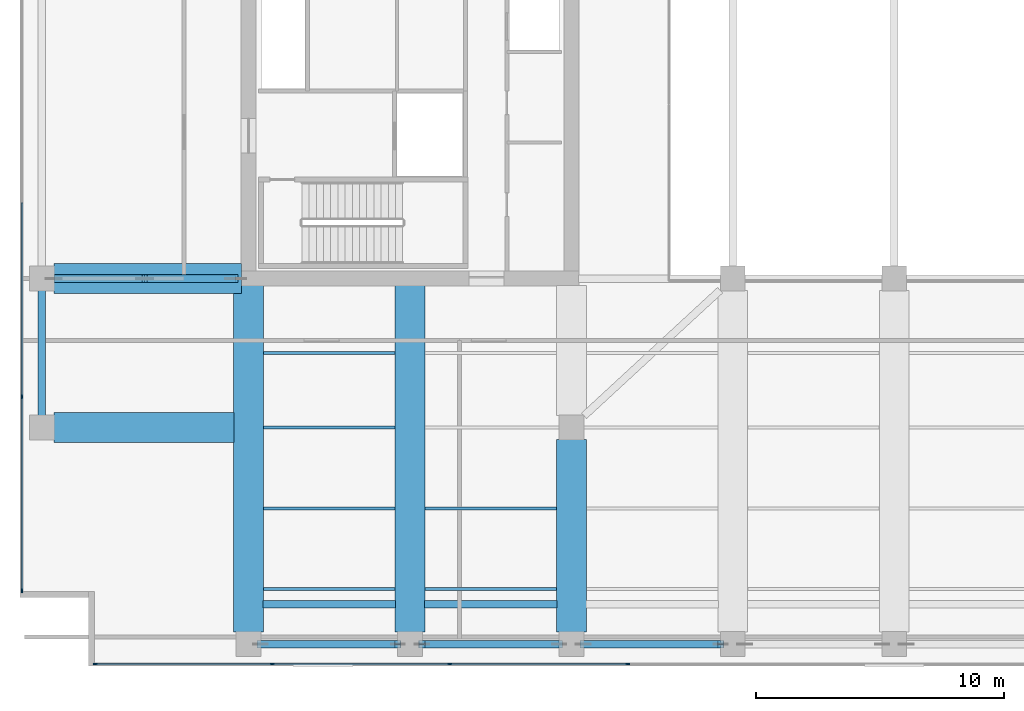
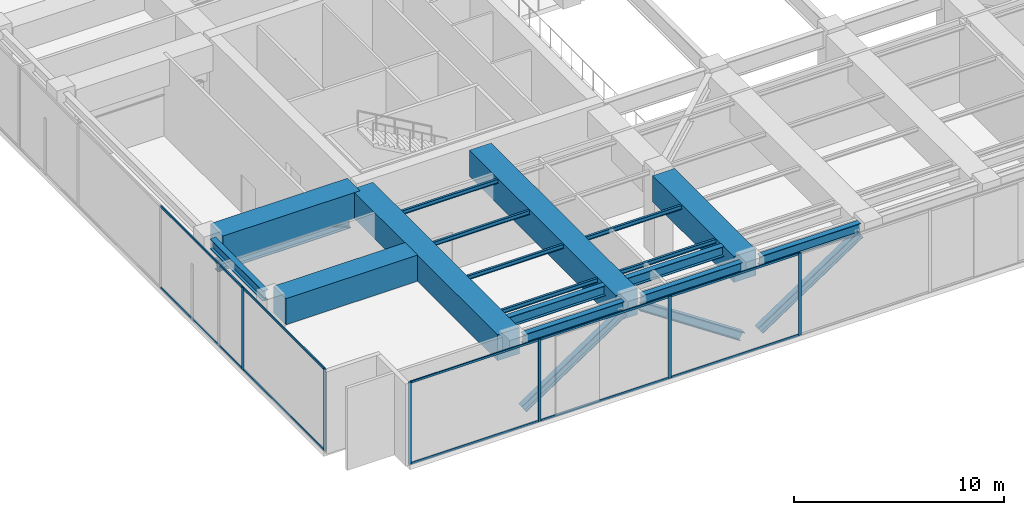
# One storey, part 2 of 28: 22 members, 17 beams, 2 elements without a shape of their own.
"""IFC4 building model written with IfcOpenShell, lengths in metres."""

from ifc_helpers import new_model, si_unit, direction, frame, origin, origin_2d, place, context, subcontext, project, spatial, rectangle, i_section, extrude, material, layer, layer_set, material_profile, profile_set, type_object, element, aggregate, save


model = new_model("IFC4")

# Units and contexts
model_context = context("Model", 3, precision=1e-05, world=origin(), true_north=direction((0.0, 1.0)))
body_context = subcontext(model_context, "Body", "Model", "MODEL_VIEW")
ifc_project = project(units=[si_unit("LENGTHUNIT", "METRE"), si_unit("AREAUNIT", "SQUARE_METRE"), si_unit("VOLUMEUNIT", "CUBIC_METRE"), si_unit("PLANEANGLEUNIT", "RADIAN"), si_unit("MASSUNIT", "GRAM", prefix="KILO")], contexts=[model_context])

# Site, building, storey
site_placement = place(None, origin())
site = spatial("IfcSite", under=ifc_project, at=site_placement, CompositionType="ELEMENT")
building_placement = place(site_placement, origin())
building = spatial("IfcBuilding", under=site, at=building_placement, Name="Putna Gate Headquarters", CompositionType="ELEMENT")
storey_placement = place(building_placement, frame((0.0, 0.0, 197.39990234375)))
storey = spatial("IfcBuildingStorey", under=building, at=storey_placement, Name="L49", CompositionType="ELEMENT", Elevation=197.39990234375)

# Beams
ifc_material_1 = material(Name="Steel S355J2", Category="steel")
ifc_material_profile_1 = material_profile(ifc_material_1, i_section(OverallWidth=0.1201171875, OverallDepth=0.239990234375, WebThickness=0.006103515625, FlangeThickness=0.009765625, at=origin_2d()), Name="Steel S355J2")
ifc_profile_set_1 = profile_set([ifc_material_profile_1], Name="Steel S355J2")
beam_type_1 = type_object("IfcBeamType", Name="BM-SEC-Z4-IPE240", PredefinedType="JOIST", material=ifc_profile_set_1)
for number, where, z_axis, x_axis, name in (
    (1, (13.60400390625, 6.5, 4.66015625), (1.0, 0.0, 0.0), (0.0, 1.0, 0.0), "L49 South Secondary Beam 1"),
    (2, (13.60400390625, 9.75, 4.66015625), (1.0, 0.0, 0.0), (0.0, 1.0, 0.0), "L49 South Secondary Beam 1"),
    (3, (13.60400390625, 13.0, 4.66015625), (1.0, 0.0, 0.0), (0.0, 1.0, 0.0), "L49 South Secondary Beam 1"),
    (4, (13.60400390625, 16.0, 4.66015625), (1.0, 0.0, 0.0), (0.0, 1.0, 0.0), "L49 South Secondary Beam 1"),
    (5, (20.10400390625, 6.5, 4.66015625), (1.0, 0.0, 0.0), (0.0, 1.0, 0.0), "L49 South Secondary Beam 2"),
    (6, (20.10400390625, 9.75, 4.66015625), (1.0, 0.0, 0.0), (0.0, 1.0, 0.0), "L49 South Secondary Beam 2"),
):
    element("IfcBeam", number, at=place(storey_placement, frame(where, z_axis=z_axis, x_axis=x_axis)), inside=storey, type_object=beam_type_1, Name=name, PredefinedType="JOIST", context=body_context, shape_type="SweptSolid", body=[
        extrude(i_section(OverallWidth=0.1201171875, OverallDepth=0.239990234375, WebThickness=0.006103515625, FlangeThickness=0.009765625, at=origin_2d()), origin(), (0.0, 0.0, 1.0), 5.2919921875),
    ])
ifc_material_profile_2 = material_profile(ifc_material_1, i_section(OverallWidth=0.300048828125, OverallDepth=0.590087890625, WebThickness=0.012939453125, FlangeThickness=0.02490234375, at=origin_2d()), Name="Steel S355J2")
ifc_profile_set_2 = profile_set([ifc_material_profile_2], Name="Steel S355J2")
beam_type_2 = type_object("IfcBeamType", Name="BM-SPAN-Z4-HEA600", PredefinedType="SPANDREL", material=ifc_profile_set_2)
for number, where, z_axis, x_axis, name in (
    (7, (13.488037109375, 4.280029296875, 4.485107421875), (1.0, 0.0, 0.0), (0.0, 1.0, 0.0), "L49 S Perimeter Spandrel 1"),
    (8, (19.988037109375, 4.280029296875, 4.485107421875), (1.0, 0.0, 0.0), (0.0, 1.0, 0.0), "L49 S Perimeter Spandrel 2"),
    (9, (26.488037109375, 4.280029296875, 4.485107421875), (1.0, 0.0, 0.0), (0.0, 1.0, 0.0), "L49 S Perimeter Spandrel 3"),
):
    element("IfcBeam", number, at=place(storey_placement, frame(where, z_axis=z_axis, x_axis=x_axis)), inside=storey, type_object=beam_type_2, Name=name, PredefinedType="SPANDREL", context=body_context, shape_type="SweptSolid", body=[
        extrude(i_section(OverallWidth=0.300048828125, OverallDepth=0.590087890625, WebThickness=0.012939453125, FlangeThickness=0.02490234375, at=origin_2d()), origin(), (0.0, 0.0, 1.0), 5.52392578125),
    ])
beam_1_placement = place(storey_placement, frame((4.679931640625, 13.488037109375, 4.485107421875), z_axis=(0.0, 1.0, 0.0), x_axis=(-1.0, 0.0, 0.0)))
element("IfcBeam", 10, at=beam_1_placement, inside=storey, type_object=beam_type_2, Name="L49 W End Spandrel 1", PredefinedType="SPANDREL", context=body_context, shape_type="SweptSolid", body=[
    extrude(i_section(OverallWidth=0.300048828125, OverallDepth=0.590087890625, WebThickness=0.012939453125, FlangeThickness=0.02490234375, at=origin_2d()), origin(), (0.0, 0.0, 1.0), 5.02392578125),
])
for number, where, z_axis, x_axis, name in (
    (11, (13.5849609375, 5.8798828125, 4.485107421875), (1.0, 0.0, 0.0), (0.0, 1.0, 0.0), "L49 Setback Edge Beam S1"),
    (12, (20.0849609375, 5.8798828125, 4.485107421875), (1.0, 0.0, 0.0), (0.0, 1.0, 0.0), "L49 Setback Edge Beam S2"),
):
    element("IfcBeam", number, at=place(storey_placement, frame(where, z_axis=z_axis, x_axis=x_axis)), inside=storey, type_object=beam_type_2, Name=name, PredefinedType="SPANDREL", context=body_context, shape_type="SweptSolid", body=[
        extrude(i_section(OverallWidth=0.300048828125, OverallDepth=0.590087890625, WebThickness=0.012939453125, FlangeThickness=0.02490234375, at=origin_2d()), origin(), (0.0, 0.0, 1.0), 5.330078125),
    ])
ifc_material_2 = material(Name="Concrete C50/60", Category="concrete")
ifc_material_profile_3 = material_profile(ifc_material_2, rectangle(XDim=1.199951171875, YDim=1.52001953125, at=origin_2d()), Name="Concrete C50/60")
ifc_profile_set_3 = profile_set([ifc_material_profile_3], Name="Concrete C50/60")
beam_type_3 = type_object("IfcBeamType", Name="BM-TG-RC1520", PredefinedType="USERDEFINED", material=ifc_profile_set_3)
beam_2_placement = place(storey_placement, frame((5.16796875, 13.0, 4.02001953125), z_axis=(1.0, 0.0, 0.0), x_axis=(0.0, 1.0, 0.0)))
element("IfcBeam", 13, at=beam_2_placement, inside=storey, type_object=beam_type_3, Name="L49 West Setback Girder Y13", ObjectType="GIRDER", PredefinedType="USERDEFINED", context=body_context, shape_type="SweptSolid", body=[
    extrude(rectangle(XDim=1.199951171875, YDim=1.52001953125, at=origin_2d()), origin(), (0.0, 0.0, 1.0), 7.2470703125),
])
beam_3_placement = place(storey_placement, frame((5.16796875, 19.0, 4.02001953125), z_axis=(1.0, 0.0, 0.0), x_axis=(0.0, 1.0, 0.0)))
element("IfcBeam", 14, at=beam_3_placement, inside=storey, type_object=beam_type_3, Name="L49 West Wing Girder Y19", ObjectType="GIRDER", PredefinedType="USERDEFINED", context=body_context, shape_type="SweptSolid", body=[
    extrude(rectangle(XDim=1.199951171875, YDim=1.52001953125, at=origin_2d()), origin(), (0.0, 0.0, 1.0), 7.547119140625),
])
for number, where, z_axis, x_axis, name in (
    (15, (13.0, 4.76806640625, 4.02001953125), (0.0, 1.0, 0.0), (-1.0, 0.0, 0.0), "L49 South Primary Girder X13"),
    (16, (19.5, 4.76806640625, 4.02001953125), (0.0, 1.0, 0.0), (-1.0, 0.0, 0.0), "L49 South Primary Girder X19"),
):
    element("IfcBeam", number, at=place(storey_placement, frame(where, z_axis=z_axis, x_axis=x_axis)), inside=storey, type_object=beam_type_3, Name=name, ObjectType="GIRDER", PredefinedType="USERDEFINED", context=body_context, shape_type="SweptSolid", body=[
        extrude(rectangle(XDim=1.199951171875, YDim=1.52001953125, at=origin_2d()), origin(), (0.0, 0.0, 1.0), 13.947021484375),
    ])
beam_4_placement = place(storey_placement, frame((26.0, 4.76806640625, 4.02001953125), z_axis=(0.0, 1.0, 0.0), x_axis=(-1.0, 0.0, 0.0)))
element("IfcBeam", 17, at=beam_4_placement, inside=storey, type_object=beam_type_3, Name="L49 South Primary Girder X26-1", ObjectType="GIRDER", PredefinedType="USERDEFINED", context=body_context, shape_type="SweptSolid", body=[
    extrude(rectangle(XDim=1.199951171875, YDim=1.52001953125, at=origin_2d()), origin(), (0.0, 0.0, 1.0), 7.743896484375),
])

# Members
ifc_material_3 = material(Name="Steel S460M", Category="steel")
ifc_material_profile_4 = material_profile(ifc_material_3, i_section(OverallWidth=0.306884765625, OverallDepth=0.47802734375, WebThickness=0.02099609375, FlangeThickness=0.0400390625, at=origin_2d()), Name="Steel S460M")
ifc_profile_set_4 = profile_set([ifc_material_profile_4], Name="Steel S460M")
member_type_1 = type_object("IfcMemberType", Name="MEM-BELT-DIAG-HEM450", PredefinedType="BRACE", material=ifc_profile_set_4)
for number, where, z_axis, x_axis, name in (
    (18, (13.485107421875, 4.280029296875, 0.4501953125), (0.832508038541, 0.0, 0.554012965339), (0.0, 1.0, 0.0), "L49 Belt Truss Diagonal S1"),
    (19, (19.985107421875, 4.280029296875, 4.130126953125), (0.832508038541, 0.0, -0.554012965339), (0.0, 1.0, 0.0), "L49 Belt Truss Diagonal S2"),
    (20, (26.485107421875, 4.280029296875, 0.4501953125), (0.832508038541, 0.0, 0.554012965339), (0.0, 1.0, 0.0), "L49 Belt Truss Diagonal S3"),
):
    element("IfcMember", number, at=place(storey_placement, frame(where, z_axis=z_axis, x_axis=x_axis)), inside=storey, type_object=member_type_1, Name=name, PredefinedType="BRACE", context=body_context, shape_type="SweptSolid", body=[
        extrude(i_section(OverallWidth=0.306884765625, OverallDepth=0.47802734375, WebThickness=0.02099609375, FlangeThickness=0.0400390625, at=origin_2d()), origin(), (0.0, 0.0, 1.0), 6.642333984375),
    ])
ifc_material_profile_5 = material_profile(ifc_material_3, i_section(OverallWidth=0.304931640625, OverallDepth=0.66796875, WebThickness=0.02099609375, FlangeThickness=0.0400390625, at=origin_2d()), Name="Steel S460M")
ifc_profile_set_5 = profile_set([ifc_material_profile_5], Name="Steel S460M")
member_type_2 = type_object("IfcMemberType", Name="MEM-OUTRIGGER-CHORD-HEM650", PredefinedType="CHORD", material=ifc_profile_set_5)
member_1_placement = place(storey_placement, frame((5.1650390625, 19.0, 2.75), z_axis=(1.0, 0.0, 0.0), x_axis=(0.0, 1.0, 0.0)))
element("IfcMember", 21, at=member_1_placement, inside=storey, type_object=member_type_2, Name="L49 Outrigger Bottom Chord WS", PredefinedType="CHORD", context=body_context, shape_type="SweptSolid", body=[
    extrude(i_section(OverallWidth=0.304931640625, OverallDepth=0.66796875, WebThickness=0.02099609375, FlangeThickness=0.0400390625, at=origin_2d()), origin(), (0.0, 0.0, 1.0), 7.31494140625),
])
ifc_material_profile_6 = material_profile(ifc_material_3, i_section(OverallWidth=0.305908203125, OverallDepth=0.572021484375, WebThickness=0.02099609375, FlangeThickness=0.0400390625, at=origin_2d()), Name="Steel S460M")
ifc_profile_set_6 = profile_set([ifc_material_profile_6], Name="Steel S460M")
member_type_3 = type_object("IfcMemberType", Name="MEM-OUTRIGGER-DIAG-HEM550", PredefinedType="BRACE", material=ifc_profile_set_6)
for number, where, z_axis, x_axis, name in (
    (22, (5.1650390625, 19.0, 2.75), (0.9269842123, 0.0, 0.37510034677), (0.0, 1.0, 0.0), "L49 Outrigger Truss Brace WS-1"),
    (23, (8.822509765625, 19.0, 4.22998046875), (0.9269842123, 0.0, -0.37510034677), (0.0, 1.0, 0.0), "L49 Outrigger Truss Brace WS-2"),
):
    element("IfcMember", number, at=place(storey_placement, frame(where, z_axis=z_axis, x_axis=x_axis)), inside=storey, type_object=member_type_3, Name=name, PredefinedType="BRACE", context=body_context, shape_type="SweptSolid", body=[
        extrude(i_section(OverallWidth=0.305908203125, OverallDepth=0.572021484375, WebThickness=0.02099609375, FlangeThickness=0.0400390625, at=origin_2d()), origin(), (0.0, 0.0, 1.0), 3.945556640625),
    ])

# Curtain wall, members
ifc_material_4 = material(Name="Anodised bronze aluminium curtain wall", Category="aluminium")
ifc_layer = layer(ifc_material_4, 0.159912109375)
ifc_layer_set = layer_set([ifc_layer], Name="Anodised bronze aluminium curtain wall")
curtain_wall_type = type_object("IfcCurtainWallType", Name="CW-SYS-CRN", PredefinedType="USERDEFINED", material=ifc_layer_set)
curtain_wall_1_placement = place(storey_placement, origin())
curtain_wall_1 = element("IfcCurtainWall", 24, at=curtain_wall_1_placement, inside=storey, type_object=curtain_wall_type, Name="L49 Acoustic Louvre South Enclosure", ObjectType="STICK CURTAIN WALL", PredefinedType="USERDEFINED")
ifc_material_5 = material(Name="Anodised bronze aluminium EN AW-6060", Category="aluminium")
ifc_material_profile_7 = material_profile(ifc_material_5, rectangle(XDim=0.06494140625, YDim=0.159912109375, at=origin_2d()), Name="Anodised bronze aluminium EN AW-6060")
ifc_profile_set_7 = profile_set([ifc_material_profile_7], Name="Anodised bronze aluminium EN AW-6060")
member_type_4 = type_object("IfcMemberType", Name="MULL-CWM-CR", PredefinedType="MULLION", material=ifc_profile_set_7)
member_2_placement = place(storey_placement, frame((6.83251953125, 3.47998046875, 0.0), z_axis=(0.0, 0.0, 1.0), x_axis=(0.0, 1.0, 0.0)))
member_2 = element("IfcMember", 25, at=member_2_placement, type_object=member_type_4, Name="CWS-CR mullion 1", PredefinedType="MULLION", context=body_context, shape_type="SweptSolid", body=[
    extrude(rectangle(XDim=0.06494140625, YDim=0.159912109375, at=origin_2d()), origin(), (0.0, 0.0, 1.0), 4.780029296875),
])
member_3_placement = place(storey_placement, frame((13.95556640625, 3.47998046875, 0.0), z_axis=(0.0, 0.0, 1.0), x_axis=(0.0, 1.0, 0.0)))
member_3 = element("IfcMember", 26, at=member_3_placement, type_object=member_type_4, Name="CWS-CR mullion 2", PredefinedType="MULLION", context=body_context, shape_type="SweptSolid", body=[
    extrude(rectangle(XDim=0.06494140625, YDim=0.159912109375, at=origin_2d()), origin(), (0.0, 0.0, 1.0), 4.780029296875),
])
member_4_placement = place(storey_placement, frame((21.111083984375, 3.47998046875, 0.0), z_axis=(0.0, 0.0, 1.0), x_axis=(0.0, 1.0, 0.0)))
member_4 = element("IfcMember", 27, at=member_4_placement, type_object=member_type_4, Name="CWS-CR mullion 3", PredefinedType="MULLION", context=body_context, shape_type="SweptSolid", body=[
    extrude(rectangle(XDim=0.06494140625, YDim=0.159912109375, at=origin_2d()), origin(), (0.0, 0.0, 1.0), 4.780029296875),
])
member_5_placement = place(storey_placement, frame((28.2666015625, 3.47998046875, 0.0), z_axis=(0.0, 0.0, 1.0), x_axis=(0.0, 1.0, 0.0)))
member_5 = element("IfcMember", 28, at=member_5_placement, type_object=member_type_4, Name="CWS-CR mullion 4", PredefinedType="MULLION", context=body_context, shape_type="SweptSolid", body=[
    extrude(rectangle(XDim=0.06494140625, YDim=0.159912109375, at=origin_2d()), origin(), (0.0, 0.0, 1.0), 4.780029296875),
])

curtain_wall_2_placement = place(storey_placement, origin())
curtain_wall_2 = element("IfcCurtainWall", 29, at=curtain_wall_2_placement, inside=storey, type_object=curtain_wall_type, Name="L49 Acoustic Louvre West Enclosure", ObjectType="STICK CURTAIN WALL", PredefinedType="USERDEFINED")
member_6_placement = place(storey_placement, frame((3.8798828125, 6.4326171875, 0.0), z_axis=(0.0, 0.0, 1.0), x_axis=(-1.0, 0.0, 0.0)))
member_6 = element("IfcMember", 30, at=member_6_placement, type_object=member_type_4, Name="CWS-CR mullion 1", PredefinedType="MULLION", context=body_context, shape_type="SweptSolid", body=[
    extrude(rectangle(XDim=0.06494140625, YDim=0.159912109375, at=origin_2d()), origin(), (0.0, 0.0, 1.0), 4.780029296875),
])
member_7_placement = place(storey_placement, frame((3.8798828125, 14.239990234375, 0.0), z_axis=(0.0, 0.0, 1.0), x_axis=(-1.0, 0.0, 0.0)))
member_7 = element("IfcMember", 31, at=member_7_placement, type_object=member_type_4, Name="CWS-CR mullion 2", PredefinedType="MULLION", context=body_context, shape_type="SweptSolid", body=[
    extrude(rectangle(XDim=0.06494140625, YDim=0.159912109375, at=origin_2d()), origin(), (0.0, 0.0, 1.0), 4.780029296875),
])

# Member
ifc_material_profile_8 = material_profile(ifc_material_5, rectangle(XDim=0.06494140625, YDim=0.1201171875, at=origin_2d()), Name="Anodised bronze aluminium EN AW-6060")
ifc_profile_set_8 = profile_set([ifc_material_profile_8], Name="Anodised bronze aluminium EN AW-6060")
member_type_5 = type_object("IfcMemberType", Name="TRAN-CWT-CR", PredefinedType="USERDEFINED", material=ifc_profile_set_8)
member_8_placement = place(storey_placement, frame((6.864990234375, 3.47998046875, 0.03271484375), z_axis=(1.0, 0.0, 0.0), x_axis=(0.0, 1.0, 0.0)))
member_8 = element("IfcMember", 32, at=member_8_placement, type_object=member_type_5, Name="CWS-CR transom 1.1", ObjectType="TRANSOM", PredefinedType="USERDEFINED", context=body_context, shape_type="SweptSolid", body=[
    extrude(rectangle(XDim=0.06494140625, YDim=0.1201171875, at=origin_2d()), origin(), (0.0, 0.0, 1.0), 7.05810546875),
])

member_9_placement = place(storey_placement, frame((6.864990234375, 3.47998046875, 4.74755859375), z_axis=(1.0, 0.0, 0.0), x_axis=(0.0, 1.0, 0.0)))
member_9 = element("IfcMember", 33, at=member_9_placement, type_object=member_type_5, Name="CWS-CR transom 1.2", ObjectType="TRANSOM", PredefinedType="USERDEFINED", context=body_context, shape_type="SweptSolid", body=[
    extrude(rectangle(XDim=0.06494140625, YDim=0.1201171875, at=origin_2d()), origin(), (0.0, 0.0, 1.0), 7.05810546875),
])

member_10_placement = place(storey_placement, frame((13.988037109375, 3.47998046875, 0.03271484375), z_axis=(1.0, 0.0, 0.0), x_axis=(0.0, 1.0, 0.0)))
member_10 = element("IfcMember", 34, at=member_10_placement, type_object=member_type_5, Name="CWS-CR transom 2.1", ObjectType="TRANSOM", PredefinedType="USERDEFINED", context=body_context, shape_type="SweptSolid", body=[
    extrude(rectangle(XDim=0.06494140625, YDim=0.1201171875, at=origin_2d()), origin(), (0.0, 0.0, 1.0), 7.090576171875),
])

member_11_placement = place(storey_placement, frame((13.988037109375, 3.47998046875, 4.74755859375), z_axis=(1.0, 0.0, 0.0), x_axis=(0.0, 1.0, 0.0)))
member_11 = element("IfcMember", 35, at=member_11_placement, type_object=member_type_5, Name="CWS-CR transom 2.2", ObjectType="TRANSOM", PredefinedType="USERDEFINED", context=body_context, shape_type="SweptSolid", body=[
    extrude(rectangle(XDim=0.06494140625, YDim=0.1201171875, at=origin_2d()), origin(), (0.0, 0.0, 1.0), 7.090576171875),
])

member_12_placement = place(storey_placement, frame((21.1435546875, 3.47998046875, 0.03271484375), z_axis=(1.0, 0.0, 0.0), x_axis=(0.0, 1.0, 0.0)))
member_12 = element("IfcMember", 36, at=member_12_placement, type_object=member_type_5, Name="CWS-CR transom 3.1", ObjectType="TRANSOM", PredefinedType="USERDEFINED", context=body_context, shape_type="SweptSolid", body=[
    extrude(rectangle(XDim=0.06494140625, YDim=0.1201171875, at=origin_2d()), origin(), (0.0, 0.0, 1.0), 7.090576171875),
])

member_13_placement = place(storey_placement, frame((21.1435546875, 3.47998046875, 4.74755859375), z_axis=(1.0, 0.0, 0.0), x_axis=(0.0, 1.0, 0.0)))
member_13 = element("IfcMember", 37, at=member_13_placement, type_object=member_type_5, Name="CWS-CR transom 3.2", ObjectType="TRANSOM", PredefinedType="USERDEFINED", context=body_context, shape_type="SweptSolid", body=[
    extrude(rectangle(XDim=0.06494140625, YDim=0.1201171875, at=origin_2d()), origin(), (0.0, 0.0, 1.0), 7.090576171875),
])

aggregate(curtain_wall_1, [member_2, member_3, member_4, member_5, member_8, member_9, member_10, member_11, member_12, member_13])

member_14_placement = place(storey_placement, frame((3.8798828125, 6.465087890625, 0.03271484375), z_axis=(0.0, 1.0, 0.0), x_axis=(-1.0, 0.0, 0.0)))
member_14 = element("IfcMember", 38, at=member_14_placement, type_object=member_type_5, Name="CWS-CR transom 1.1", ObjectType="TRANSOM", PredefinedType="USERDEFINED", context=body_context, shape_type="SweptSolid", body=[
    extrude(rectangle(XDim=0.06494140625, YDim=0.1201171875, at=origin_2d()), origin(), (0.0, 0.0, 1.0), 7.742431640625),
])

member_15_placement = place(storey_placement, frame((3.8798828125, 6.465087890625, 4.74755859375), z_axis=(0.0, 1.0, 0.0), x_axis=(-1.0, 0.0, 0.0)))
member_15 = element("IfcMember", 39, at=member_15_placement, type_object=member_type_5, Name="CWS-CR transom 1.2", ObjectType="TRANSOM", PredefinedType="USERDEFINED", context=body_context, shape_type="SweptSolid", body=[
    extrude(rectangle(XDim=0.06494140625, YDim=0.1201171875, at=origin_2d()), origin(), (0.0, 0.0, 1.0), 7.742431640625),
])

member_16_placement = place(storey_placement, frame((3.8798828125, 14.2724609375, 0.03271484375), z_axis=(0.0, 1.0, 0.0), x_axis=(-1.0, 0.0, 0.0)))
member_16 = element("IfcMember", 40, at=member_16_placement, type_object=member_type_5, Name="CWS-CR transom 2.1", ObjectType="TRANSOM", PredefinedType="USERDEFINED", context=body_context, shape_type="SweptSolid", body=[
    extrude(rectangle(XDim=0.06494140625, YDim=0.1201171875, at=origin_2d()), origin(), (0.0, 0.0, 1.0), 7.775146484375),
])

member_17_placement = place(storey_placement, frame((3.8798828125, 14.2724609375, 4.74755859375), z_axis=(0.0, 1.0, 0.0), x_axis=(-1.0, 0.0, 0.0)))
member_17 = element("IfcMember", 41, at=member_17_placement, type_object=member_type_5, Name="CWS-CR transom 2.2", ObjectType="TRANSOM", PredefinedType="USERDEFINED", context=body_context, shape_type="SweptSolid", body=[
    extrude(rectangle(XDim=0.06494140625, YDim=0.1201171875, at=origin_2d()), origin(), (0.0, 0.0, 1.0), 7.775146484375),
])

aggregate(curtain_wall_2, [member_6, member_7, member_14, member_15, member_16, member_17])

save(model, "model.ifc")
